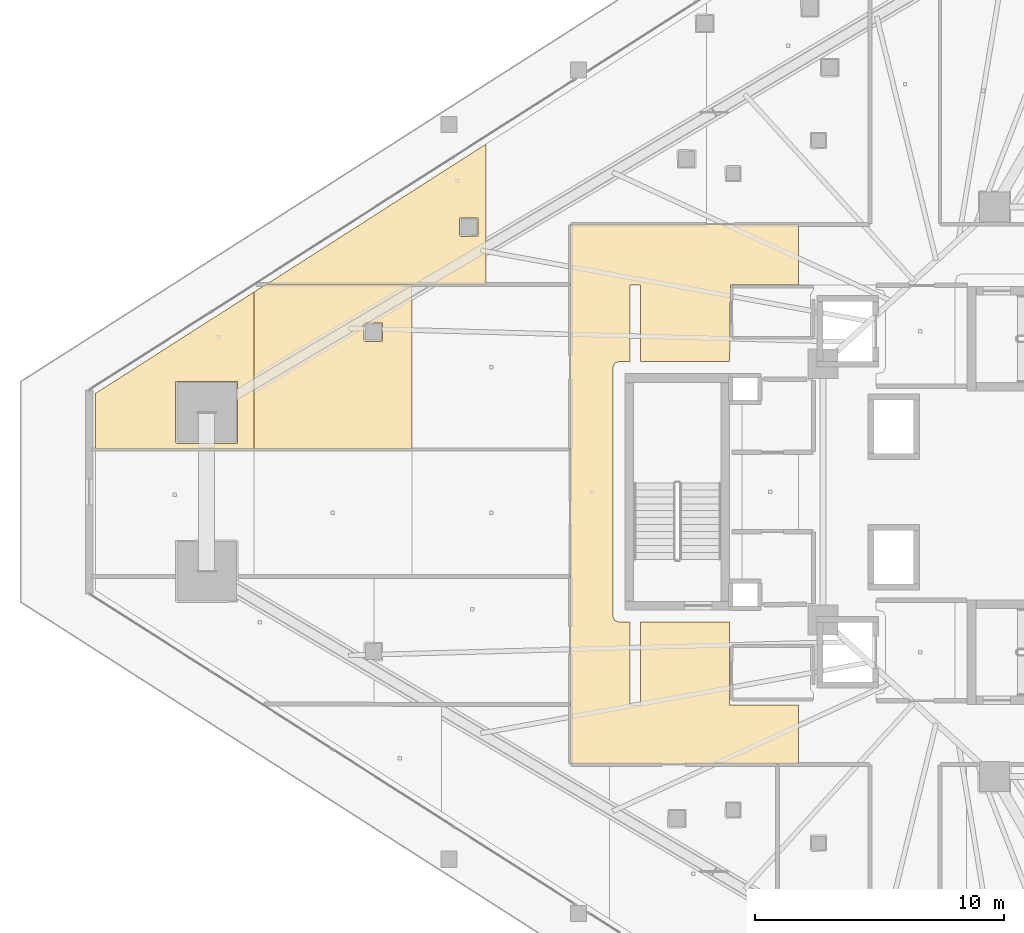
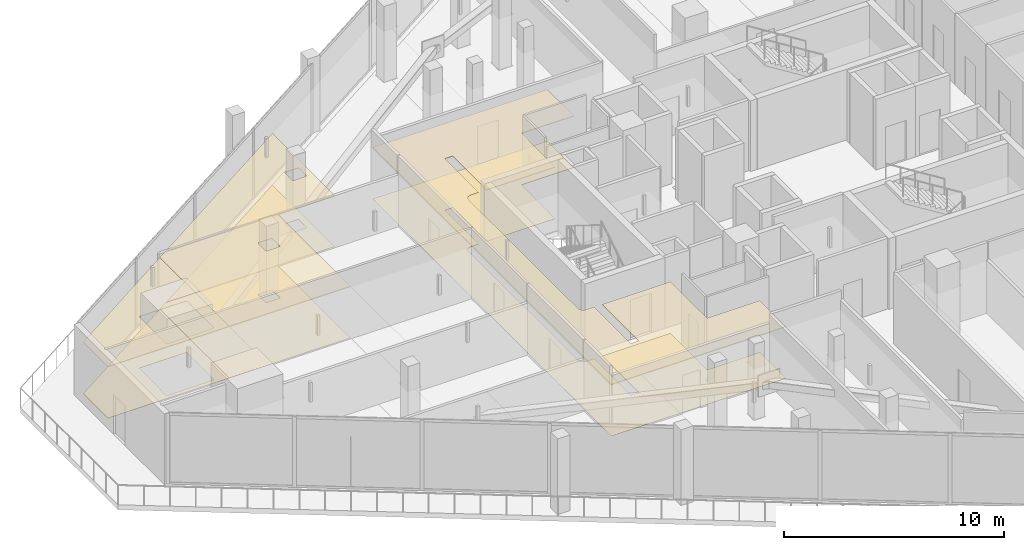
# One storey, part 48 of 52: 8 coverings.
"""IFC4 building model written with IfcOpenShell, lengths in metres."""

from ifc_helpers import new_model, si_unit, direction, frame, origin, place, context, subcontext, project, spatial, polyline, outline, extrude, material, layer, layer_set, type_object, element, save


model = new_model("IFC4")

# Units and contexts
model_context = context("Model", 3, precision=1e-05, world=origin(), true_north=direction((0.0, 1.0)))
body_context = subcontext(model_context, "Body", "Model", "MODEL_VIEW")
ifc_project = project(units=[si_unit("LENGTHUNIT", "METRE"), si_unit("AREAUNIT", "SQUARE_METRE"), si_unit("VOLUMEUNIT", "CUBIC_METRE"), si_unit("PLANEANGLEUNIT", "RADIAN"), si_unit("MASSUNIT", "GRAM", prefix="KILO")], contexts=[model_context])

# Site, building, storey
site_placement = place(None, origin())
site = spatial("IfcSite", under=ifc_project, at=site_placement, CompositionType="ELEMENT")
building_placement = place(site_placement, origin())
building = spatial("IfcBuilding", under=site, at=building_placement, Name="Qorvath Tower", CompositionType="ELEMENT")
storey_placement = place(building_placement, frame((0.0, 0.0, 61.800048828125)))
storey = spatial("IfcBuildingStorey", under=building, at=storey_placement, Name="L13", CompositionType="ELEMENT", Elevation=61.800048828125)

# Coverings
ifc_material_1 = material(Name="Acoustic mineral fibre ceiling tile", Category="gypsum")
ifc_layer_1 = layer(ifc_material_1, 0.030029296875)
ifc_layer_set_1 = layer_set([ifc_layer_1], Name="COV-CEIL")
covering_type_1 = type_object("IfcCoveringType", Name="COV-CEIL", PredefinedType="CEILING", material=ifc_layer_set_1)
covering_1_placement = place(storey_placement, frame((0.0, 0.0, 2.849853515625)))
element("IfcCovering", 1, at=covering_1_placement, inside=storey, type_object=covering_type_1, Name="L13 Suspended Acoustic Ceiling 007", PredefinedType="CEILING", context=body_context, shape_type="SweptSolid", body=[
    extrude(outline(polyline([(-31.481689453125, -10.946044921875), (-31.481689453125, -8.564697265625), (-34.25, -8.56494140625), (-34.2548828125, -5.239990234375), (-37.844970703125, -5.239990234375), (-37.844970703125, -8.580078125), (-38.2548828125, -8.580078125), (-38.2548828125, -5.239990234375), (-38.699951171875, -5.239990234375), (-38.876708984375, -5.166748046875), (-38.949951171875, -4.989990234375), (-38.949951171875, 4.989990234375), (-38.876708984375, 5.166748046875), (-38.699951171875, 5.239990234375), (-38.2548828125, 5.239990234375), (-38.25341796875, 8.323486328125), (-37.844970703125, 8.320068359375), (-37.844970703125, 5.239990234375), (-34.2509765625, 5.239990234375), (-34.219970703125, 8.324951171875), (-31.481689453125, 8.324951171875), (-31.481689453125, 10.74609375), (-40.64501953125, 10.7451171875), (-40.64501953125, -10.945068359375), (-31.481689453125, -10.946044921875)])), origin(), (0.0, 0.0, 1.0), 0.030029296875),
])
covering_2_placement = place(storey_placement, frame((0.0, 0.0, 2.849853515625)))
element("IfcCovering", 2, at=covering_2_placement, inside=storey, type_object=covering_type_1, Name="L13 Suspended Acoustic Ceiling 010", PredefinedType="CEILING", context=body_context, shape_type="SweptSolid", body=[
    extrude(outline(polyline([(-52.885986328125, 8.3349609375), (-44.038818359375, 8.3349609375), (-44.038818359375, 13.986083984375), (-52.885986328125, 8.3349609375)]), holes=[polyline([(-45.121337890625, 10.327392578125), (-45.103759765625, 11.019775390625), (-44.368896484375, 11.019775390625), (-44.368896484375, 10.284912109375), (-45.061279296875, 10.267333984375), (-45.121337890625, 10.327392578125)])]), origin(), (0.0, 0.0, 1.0), 0.030029296875),
])
covering_3_placement = place(storey_placement, frame((0.0, 0.0, 2.849853515625)))
element("IfcCovering", 3, at=covering_3_placement, inside=storey, type_object=covering_type_1, Name="L13 Suspended Acoustic Ceiling 043", PredefinedType="CEILING", context=body_context, shape_type="SweptSolid", body=[
    extrude(outline(polyline([(-53.38330078125, 1.716064453125), (-53.38330078125, 8.028564453125), (-59.743408203125, 3.963623046875), (-59.743408203125, 1.716064453125), (-53.38330078125, 1.716064453125)]), holes=[polyline([(-56.54296875, 1.994384765625), (-56.525390625, 4.43701171875), (-54.04052734375, 4.43701171875), (-54.04052734375, 1.9521484375), (-56.48291015625, 1.9345703125), (-56.54296875, 1.994384765625)])]), origin(), (0.0, 0.0, 1.0), 0.030029296875),
])
covering_4_placement = place(storey_placement, frame((0.0, 0.0, 2.849853515625)))
element("IfcCovering", 4, at=covering_4_placement, inside=storey, type_object=covering_type_1, Name="L13 Suspended Acoustic Ceiling 044", PredefinedType="CEILING", context=body_context, shape_type="SweptSolid", body=[
    extrude(outline(polyline([(-47.023193359375, 1.716064453125), (-47.023193359375, 8.32763671875), (-52.900146484375, 8.33740234375), (-53.38330078125, 8.028564453125), (-53.38330078125, 1.716064453125), (-47.023193359375, 1.716064453125)]), holes=[polyline([(-48.96337890625, 6.099609375), (-48.94580078125, 6.7919921875), (-48.2109375, 6.7919921875), (-48.2109375, 6.05712890625), (-48.9033203125, 6.03955078125), (-48.96337890625, 6.099609375)])]), origin(), (0.0, 0.0, 1.0), 0.030029296875),
])
ifc_material_2 = material(Name="Low-VOC modular carpet tile", Category="textile")
ifc_layer_2 = layer(ifc_material_2, 0.014892578125)
ifc_layer_set_2 = layer_set([ifc_layer_2], Name="COV-FLOOR-CPT")
covering_type_2 = type_object("IfcCoveringType", Name="COV-FLOOR-CPT", PredefinedType="FLOORING", material=ifc_layer_set_2)
covering_5_placement = place(storey_placement, origin())
element("IfcCovering", 5, at=covering_5_placement, inside=storey, type_object=covering_type_2, Name="L13 Floor Finish 010", PredefinedType="FLOORING", context=body_context, shape_type="SweptSolid", body=[
    extrude(outline(polyline([(-52.885986328125, 8.3349609375), (-44.038818359375, 8.3349609375), (-44.038818359375, 13.986083984375), (-52.885986328125, 8.3349609375)]), holes=[polyline([(-45.121337890625, 10.327392578125), (-45.103759765625, 11.019775390625), (-44.368896484375, 11.019775390625), (-44.368896484375, 10.284912109375), (-45.061279296875, 10.267333984375), (-45.121337890625, 10.327392578125)])]), origin(), (0.0, 0.0, 1.0), 0.014892578125),
])
covering_6_placement = place(storey_placement, origin())
element("IfcCovering", 6, at=covering_6_placement, inside=storey, type_object=covering_type_2, Name="L13 Floor Finish 043", PredefinedType="FLOORING", context=body_context, shape_type="SweptSolid", body=[
    extrude(outline(polyline([(-53.38330078125, 1.716064453125), (-53.38330078125, 8.028564453125), (-59.743408203125, 3.963623046875), (-59.743408203125, 1.716064453125), (-53.38330078125, 1.716064453125)]), holes=[polyline([(-56.54296875, 1.994384765625), (-56.525390625, 4.43701171875), (-54.04052734375, 4.43701171875), (-54.04052734375, 1.9521484375), (-56.48291015625, 1.9345703125), (-56.54296875, 1.994384765625)])]), origin(), (0.0, 0.0, 1.0), 0.014892578125),
])
covering_7_placement = place(storey_placement, origin())
element("IfcCovering", 7, at=covering_7_placement, inside=storey, type_object=covering_type_2, Name="L13 Floor Finish 044", PredefinedType="FLOORING", context=body_context, shape_type="SweptSolid", body=[
    extrude(outline(polyline([(-47.023193359375, 1.716064453125), (-47.023193359375, 8.32763671875), (-52.900146484375, 8.33740234375), (-53.38330078125, 8.028564453125), (-53.38330078125, 1.716064453125), (-47.023193359375, 1.716064453125)]), holes=[polyline([(-48.96337890625, 6.099609375), (-48.94580078125, 6.7919921875), (-48.2109375, 6.7919921875), (-48.2109375, 6.05712890625), (-48.9033203125, 6.03955078125), (-48.96337890625, 6.099609375)])]), origin(), (0.0, 0.0, 1.0), 0.014892578125),
])
ifc_material_3 = material(Name="Polished epoxy terrazzo flooring", Category="concrete")
ifc_layer_3 = layer(ifc_material_3, 0.02001953125)
ifc_layer_set_3 = layer_set([ifc_layer_3], Name="COV-FLOOR-TRZ")
covering_type_3 = type_object("IfcCoveringType", Name="COV-FLOOR-TRZ", PredefinedType="FLOORING", material=ifc_layer_set_3)
covering_8_placement = place(storey_placement, origin())
element("IfcCovering", 8, at=covering_8_placement, inside=storey, type_object=covering_type_3, Name="L13 Floor Finish 007", PredefinedType="FLOORING", context=body_context, shape_type="SweptSolid", body=[
    extrude(outline(polyline([(-31.481689453125, -10.946044921875), (-31.481689453125, -8.564697265625), (-34.25, -8.56494140625), (-34.2548828125, -5.239990234375), (-37.844970703125, -5.239990234375), (-37.844970703125, -8.580078125), (-38.2548828125, -8.580078125), (-38.2548828125, -5.239990234375), (-38.699951171875, -5.239990234375), (-38.876708984375, -5.166748046875), (-38.949951171875, -4.989990234375), (-38.949951171875, 4.989990234375), (-38.876708984375, 5.166748046875), (-38.699951171875, 5.239990234375), (-38.2548828125, 5.239990234375), (-38.25341796875, 8.323486328125), (-37.844970703125, 8.320068359375), (-37.844970703125, 5.239990234375), (-34.2509765625, 5.239990234375), (-34.219970703125, 8.324951171875), (-31.481689453125, 8.324951171875), (-31.481689453125, 10.74609375), (-40.64501953125, 10.7451171875), (-40.64501953125, -10.945068359375), (-31.481689453125, -10.946044921875)])), origin(), (0.0, 0.0, 1.0), 0.014892578125),
])

save(model, "model.ifc")
